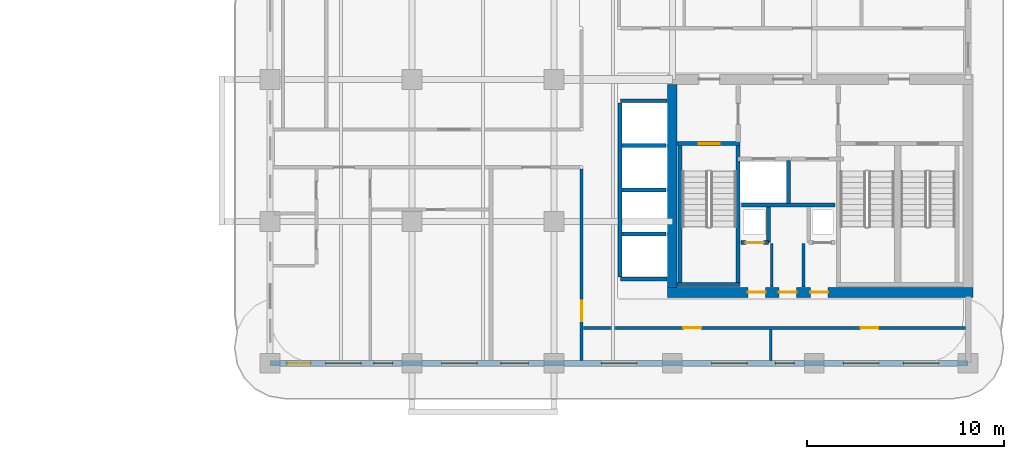
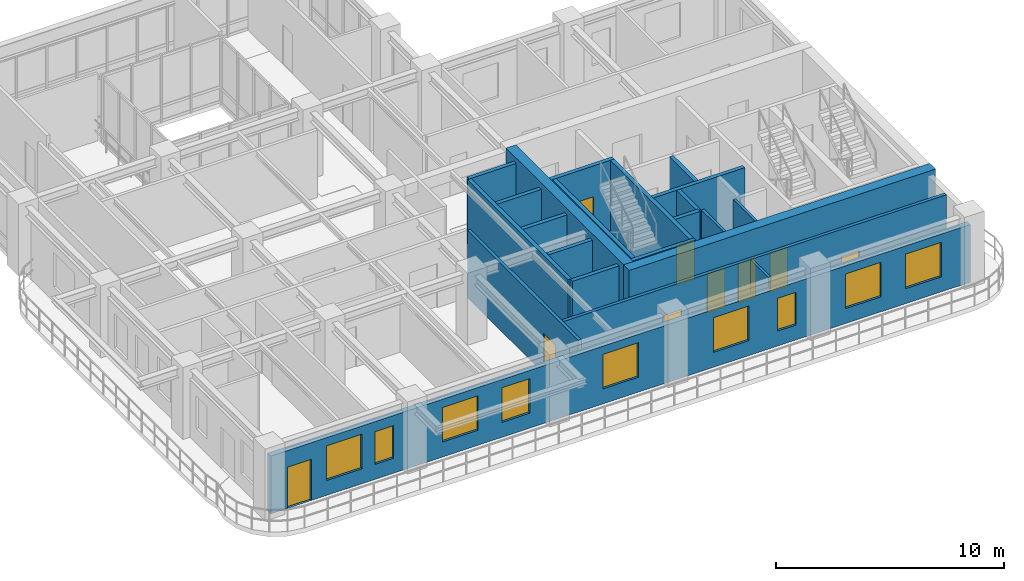
# One storey, part 12 of 19: 22 walls, 9 doors, 9 windows, 18 openings.
"""IFC4 building model written with IfcOpenShell, lengths in metres."""

from ifc_helpers import new_model, si_unit, derived_unit, direction, frame, frame_2d, origin, place, context, subcontext, project, spatial, rectangle, extrude, source, transform, mapped, material, layer, layer_set, type_object, type_shapes, element, fill, save


model = new_model("IFC4")

# Units and contexts
model_context = context("Model", 3, precision=1e-05, world=origin(), true_north=direction((0.0, 1.0)))
body_context = subcontext(model_context, "Body", "Model", "MODEL_VIEW")
ifc_project = project(units=[si_unit("LENGTHUNIT", "METRE"), si_unit("AREAUNIT", "SQUARE_METRE"), si_unit("VOLUMEUNIT", "CUBIC_METRE"), si_unit("PLANEANGLEUNIT", "RADIAN"), si_unit("MASSUNIT", "GRAM", prefix="KILO"), si_unit("THERMODYNAMICTEMPERATUREUNIT", "KELVIN"), si_unit("POWERUNIT", "WATT"), derived_unit("THERMALTRANSMITTANCEUNIT", [(si_unit("POWERUNIT", "WATT"), 1), (si_unit("AREAUNIT", "SQUARE_METRE"), -1), (si_unit("THERMODYNAMICTEMPERATUREUNIT", "KELVIN"), -1)])], contexts=[model_context])

# Site, building, storey
site_placement = place(None, origin())
site = spatial("IfcSite", under=ifc_project, at=site_placement, CompositionType="ELEMENT")
building_placement = place(site_placement, origin())
building = spatial("IfcBuilding", under=site, at=building_placement, Name="Zahravan Archway Hotel and Residences", CompositionType="ELEMENT")
storey_placement = place(building_placement, frame((0.0, 0.0, 158.0)))
storey = spatial("IfcBuildingStorey", under=building, at=storey_placement, Name="L39", CompositionType="ELEMENT", Elevation=158.0)

# Wall, openings, doors
ifc_material_1 = material(Name="Concrete C60/75", Category="concrete")
ifc_layer_1 = layer(ifc_material_1, 0.5, Name="Concrete C60/75", Category="concrete")
ifc_layer_set_1 = layer_set([ifc_layer_1], Name="Concrete C60/75")
wall_type_1 = type_object("IfcWallType", Name="CW-CORE-500", PredefinedType="SHEAR", material=ifc_layer_set_1)
wall_1_placement = place(storey_placement, frame((34.550048828125, 3.60009765625, 0.0), z_axis=(0.0, 0.0, 1.0), x_axis=(1.0, 0.0, 0.0)))
wall_1 = element("IfcWall", 1, at=wall_1_placement, inside=storey, type_object=wall_type_1, Name="L39 Core A Shear S Wall 500 mm", PredefinedType="SHEAR", context=body_context, shape_type="SweptSolid", body=[
    extrude(rectangle(XDim=15.5, YDim=0.5, at=frame_2d((7.75, 0.0))), origin(), (0.0, 0.0, 1.0), 3.85009765625),
])
opening_1_placement = place(wall_1_placement, frame((4.080078125, 0.0, 0.0)))
opening_1 = element("IfcOpeningElement", 2, at=opening_1_placement, cuts=wall_1, Name="Opening FD-R1", PredefinedType="OPENING", context=body_context, shape_type="SweptSolid", body=[
    extrude(rectangle(XDim=0.89990234375, YDim=2.10009765625, at=frame_2d((0.449951171875, 1.050048828125))), frame((0.0, 0.260009765625, 0.0), z_axis=(0.0, -1.0, 0.0), x_axis=(1.0, 0.0, 0.0)), (0.0, 0.0, 1.0), 0.52001953125),
])
opening_2_placement = place(wall_1_placement, frame((5.64990234375, 0.0, 0.0)))
opening_2 = element("IfcOpeningElement", 3, at=opening_2_placement, cuts=wall_1, Name="Opening FD-R1", PredefinedType="OPENING", context=body_context, shape_type="SweptSolid", body=[
    extrude(rectangle(XDim=0.89990234375, YDim=2.10009765625, at=frame_2d((0.449951171875, 1.050048828125))), frame((0.0, 0.260009765625, 0.0), z_axis=(0.0, -1.0, 0.0), x_axis=(1.0, 0.0, 0.0)), (0.0, 0.0, 1.0), 0.52001953125),
])
opening_3_placement = place(wall_1_placement, frame((7.25, 0.0, 0.0)))
opening_3 = element("IfcOpeningElement", 4, at=opening_3_placement, cuts=wall_1, Name="Opening FD-R1", PredefinedType="OPENING", context=body_context, shape_type="SweptSolid", body=[
    extrude(rectangle(XDim=0.89990234375, YDim=2.10009765625, at=frame_2d((0.449951171875, 1.050048828125))), frame((0.0, 0.260009765625, 0.0), z_axis=(0.0, -1.0, 0.0), x_axis=(1.0, 0.0, 0.0)), (0.0, 0.0, 1.0), 0.52001953125),
])
ifc_material_2 = material(Name="Fire-Rated Painted Steel", Category="steel")
door_type_1 = type_object("IfcDoorType", Name="FD-RISER-900", OperationType="NOTDEFINED", PredefinedType="DOOR", material=ifc_material_2)
shared_shape_1 = source(origin(), body_context, "Body", "SweptSolid", [
    extrude(rectangle(XDim=0.89990234375, YDim=2.10009765625, at=frame_2d((0.449951171875, 1.050048828125))), frame((0.0, 0.02490234375, 0.0), z_axis=(0.0, -1.0, 0.0), x_axis=(1.0, 0.0, 0.0)), (0.0, 0.0, 1.0), 0.050048828125),
])
type_shapes(door_type_1, [shared_shape_1])
door_1_placement = place(opening_1_placement, origin())
door_1 = element("IfcDoor", 5, at=door_1_placement, inside=storey, type_object=door_type_1, Name="L39 Linen Store Door", OperationType="SINGLE_SWING_RIGHT", OverallHeight=2.10009765625, OverallWidth=0.89990234375, PredefinedType="DOOR", context=body_context, shape_type="MappedRepresentation", body=[
    mapped(shared_shape_1, transform((0.0, 0.0, 0.0), scale=1.0)),
])
fill(opening_1, door_1)
door_2_placement = place(opening_2_placement, origin())
door_2 = element("IfcDoor", 6, at=door_2_placement, inside=storey, type_object=door_type_1, Name="L39 Housekeeping Store Door", OperationType="SINGLE_SWING_LEFT", OverallHeight=2.10009765625, OverallWidth=0.89990234375, PredefinedType="DOOR", context=body_context, shape_type="MappedRepresentation", body=[
    mapped(shared_shape_1, transform((0.0, 0.0, 0.0), scale=1.0)),
])
fill(opening_2, door_2)
door_3_placement = place(opening_3_placement, origin())
door_3 = element("IfcDoor", 7, at=door_3_placement, inside=storey, type_object=door_type_1, Name="L39 Janitor Store Door", OperationType="SINGLE_SWING_RIGHT", OverallHeight=2.10009765625, OverallWidth=0.89990234375, PredefinedType="DOOR", context=body_context, shape_type="MappedRepresentation", body=[
    mapped(shared_shape_1, transform((0.0, 0.0, 0.0), scale=1.0)),
])
fill(opening_3, door_3)

# Wall
wall_2_placement = place(storey_placement, frame((34.800048828125, 3.85009765625, 0.0), z_axis=(0.0, 0.0, 1.0), x_axis=(0.0, 1.0, 0.0)))
element("IfcWall", 8, at=wall_2_placement, inside=storey, type_object=wall_type_1, Name="L39 Core A Shear W Wall 500 mm", PredefinedType="SHEAR", context=body_context, shape_type="SweptSolid", body=[
    extrude(rectangle(XDim=10.2998046875, YDim=0.5, at=frame_2d((5.14990234375, 0.0))), origin(), (0.0, 0.0, 1.0), 3.85009765625),
])

# Wall, openings, door, windows
ifc_material_3 = material(Name="Honed Red-Ochre Sandstone & Insulated Block", Category="masonry")
ifc_layer_2 = layer(ifc_material_3, 0.280029296875, Name="Honed Red-Ochre Sandstone & Insulated Block", Category="masonry")
ifc_layer_set_2 = layer_set([ifc_layer_2], Name="Honed Red-Ochre Sandstone & Insulated Block")
wall_type_2 = type_object("IfcWallType", Name="EW-LOG-280", PredefinedType="SOLIDWALL", material=ifc_layer_set_2)
wall_3_placement = place(storey_placement, frame((14.39990234375, 0.0, 0.0), z_axis=(0.0, 0.0, 1.0), x_axis=(1.0, 0.0, 0.0)))
wall_3 = element("IfcWall", 9, at=wall_3_placement, inside=storey, type_object=wall_type_2, Name="L39 Exterior Sandstone Wall WA-S", PredefinedType="SOLIDWALL", context=body_context, shape_type="SweptSolid", body=[
    extrude(rectangle(XDim=35.400146484375, YDim=0.280029296875, at=frame_2d((17.7001953125, 0.0))), origin(), (0.0, 0.0, 1.0), 3.0849609375),
])
opening_4_placement = place(wall_3_placement, frame((0.85009765625, 0.0, 0.0)))
opening_4 = element("IfcOpeningElement", 10, at=opening_4_placement, cuts=wall_3, Name="Opening ED-BL1", PredefinedType="OPENING", context=body_context, shape_type="SweptSolid", body=[
    extrude(rectangle(XDim=1.199951171875, YDim=2.199951171875, at=frame_2d((0.60009765625, 1.10009765625))), frame((0.0, 0.14990234375, 0.0), z_axis=(0.0, -1.0, 0.0), x_axis=(1.0, 0.0, 0.0)), (0.0, 0.0, 1.0), 0.300048828125),
])
opening_5_placement = place(wall_3_placement, frame((2.81103515625, 0.0, 0.800048828125)))
opening_5 = element("IfcOpeningElement", 11, at=opening_5_placement, cuts=wall_3, Name="Opening W-02", PredefinedType="OPENING", context=body_context, shape_type="SweptSolid", body=[
    extrude(rectangle(XDim=1.800048828125, YDim=1.85009765625, at=frame_2d((0.89990234375, 0.925048828125))), frame((0.0, 0.14990234375, 0.0), z_axis=(0.0, -1.0, 0.0), x_axis=(1.0, 0.0, 0.0)), (0.0, 0.0, 1.0), 0.300048828125),
])
opening_6_placement = place(wall_3_placement, frame((5.26904296875, 0.0, 0.800048828125)))
opening_6 = element("IfcOpeningElement", 12, at=opening_6_placement, cuts=wall_3, Name="Opening W-04", PredefinedType="OPENING", context=body_context, shape_type="SweptSolid", body=[
    extrude(rectangle(XDim=0.949951171875, YDim=1.75, at=frame_2d((0.47509765625, 0.875))), frame((0.0, 0.14990234375, 0.0), z_axis=(0.0, -1.0, 0.0), x_axis=(1.0, 0.0, 0.0)), (0.0, 0.0, 1.0), 0.300048828125),
])
opening_7_placement = place(wall_3_placement, frame((8.696044921875, 0.0, 0.800048828125)))
opening_7 = element("IfcOpeningElement", 13, at=opening_7_placement, cuts=wall_3, Name="Opening W-02", PredefinedType="OPENING", context=body_context, shape_type="SweptSolid", body=[
    extrude(rectangle(XDim=1.800048828125, YDim=1.85009765625, at=frame_2d((0.89990234375, 0.925048828125))), frame((0.0, 0.14990234375, 0.0), z_axis=(0.0, -1.0, 0.0), x_axis=(1.0, 0.0, 0.0)), (0.0, 0.0, 1.0), 0.300048828125),
])
opening_8_placement = place(wall_3_placement, frame((11.7041015625, 0.0, 0.800048828125)))
opening_8 = element("IfcOpeningElement", 14, at=opening_8_placement, cuts=wall_3, Name="Opening W-03", PredefinedType="OPENING", context=body_context, shape_type="SweptSolid", body=[
    extrude(rectangle(XDim=1.39990234375, YDim=1.85009765625, at=frame_2d((0.699951171875, 0.925048828125))), frame((0.0, 0.14990234375, 0.0), z_axis=(0.0, -1.0, 0.0), x_axis=(1.0, 0.0, 0.0)), (0.0, 0.0, 1.0), 0.300048828125),
])
opening_9_placement = place(wall_3_placement, frame((16.803955078125, 0.0, 0.800048828125)))
opening_9 = element("IfcOpeningElement", 15, at=opening_9_placement, cuts=wall_3, Name="Opening W-02", PredefinedType="OPENING", context=body_context, shape_type="SweptSolid", body=[
    extrude(rectangle(XDim=1.800048828125, YDim=1.85009765625, at=frame_2d((0.89990234375, 0.925048828125))), frame((0.0, 0.14990234375, 0.0), z_axis=(0.0, -1.0, 0.0), x_axis=(1.0, 0.0, 0.0)), (0.0, 0.0, 1.0), 0.300048828125),
])
opening_10_placement = place(wall_3_placement, frame((22.39599609375, 0.0, 0.800048828125)))
opening_10 = element("IfcOpeningElement", 16, at=opening_10_placement, cuts=wall_3, Name="Opening W-02", PredefinedType="OPENING", context=body_context, shape_type="SweptSolid", body=[
    extrude(rectangle(XDim=1.800048828125, YDim=1.85009765625, at=frame_2d((0.89990234375, 0.925048828125))), frame((0.0, 0.14990234375, 0.0), z_axis=(0.0, -1.0, 0.0), x_axis=(1.0, 0.0, 0.0)), (0.0, 0.0, 1.0), 0.300048828125),
])
opening_11_placement = place(wall_3_placement, frame((25.62890625, 0.0, 0.800048828125)))
opening_11 = element("IfcOpeningElement", 17, at=opening_11_placement, cuts=wall_3, Name="Opening W-04", PredefinedType="OPENING", context=body_context, shape_type="SweptSolid", body=[
    extrude(rectangle(XDim=0.949951171875, YDim=1.75, at=frame_2d((0.47509765625, 0.875))), frame((0.0, 0.14990234375, 0.0), z_axis=(0.0, -1.0, 0.0), x_axis=(1.0, 0.0, 0.0)), (0.0, 0.0, 1.0), 0.300048828125),
])
opening_12_placement = place(wall_3_placement, frame((29.074951171875, 0.0, 0.800048828125)))
opening_12 = element("IfcOpeningElement", 18, at=opening_12_placement, cuts=wall_3, Name="Opening W-02", PredefinedType="OPENING", context=body_context, shape_type="SweptSolid", body=[
    extrude(rectangle(XDim=1.800048828125, YDim=1.85009765625, at=frame_2d((0.89990234375, 0.925048828125))), frame((0.0, 0.14990234375, 0.0), z_axis=(0.0, -1.0, 0.0), x_axis=(1.0, 0.0, 0.0)), (0.0, 0.0, 1.0), 0.300048828125),
])
opening_13_placement = place(wall_3_placement, frame((32.125, 0.0, 0.800048828125)))
opening_13 = element("IfcOpeningElement", 19, at=opening_13_placement, cuts=wall_3, Name="Opening W-02", PredefinedType="OPENING", context=body_context, shape_type="SweptSolid", body=[
    extrude(rectangle(XDim=1.800048828125, YDim=1.85009765625, at=frame_2d((0.89990234375, 0.925048828125))), frame((0.0, 0.14990234375, 0.0), z_axis=(0.0, -1.0, 0.0), x_axis=(1.0, 0.0, 0.0)), (0.0, 0.0, 1.0), 0.300048828125),
])
ifc_material_4 = material(Name="Bronze-Anodized Glazed Aluminium", Category="aluminium")
door_type_2 = type_object("IfcDoorType", Name="ED-BALC-1200", OperationType="SLIDING_TO_LEFT", PredefinedType="DOOR", material=ifc_material_4)
shared_shape_2 = source(origin(), body_context, "Body", "SweptSolid", [
    extrude(rectangle(XDim=1.199951171875, YDim=2.199951171875, at=frame_2d((0.60009765625, 1.10009765625))), frame((0.0, 0.02490234375, 0.0), z_axis=(0.0, -1.0, 0.0), x_axis=(1.0, 0.0, 0.0)), (0.0, 0.0, 1.0), 0.050048828125),
])
type_shapes(door_type_2, [shared_shape_2])
door_4_placement = place(opening_4_placement, origin())
door_4 = element("IfcDoor", 20, at=door_4_placement, inside=storey, type_object=door_type_2, Name="L39 Outdoor Access Sliding Door (SLB-BAL-L39-SA)", OperationType="SLIDING_TO_LEFT", OverallHeight=2.199951171875, OverallWidth=1.199951171875, PredefinedType="DOOR", context=body_context, shape_type="MappedRepresentation", body=[
    mapped(shared_shape_2, transform((0.0, 0.0, 0.0), scale=1.0)),
])
fill(opening_4, door_4)
ifc_material_5 = material(Name="Bronze-Anodized Thermal-Break Aluminium & Low-E Glass", Category="aluminium")
window_type_1 = type_object("IfcWindowType", Name="WIN-TWR-1400", PartitioningType="SINGLE_PANEL", PredefinedType="WINDOW", material=ifc_material_5)
shared_shape_3 = source(origin(), body_context, "Body", "SweptSolid", [
    extrude(rectangle(XDim=1.39990234375, YDim=1.85009765625, at=frame_2d((0.699951171875, 0.925048828125))), frame((0.0, 0.030029296875, 0.0), z_axis=(0.0, -1.0, 0.0), x_axis=(1.0, 0.0, 0.0)), (0.0, 0.0, 1.0), 0.06005859375),
])
type_shapes(window_type_1, [shared_shape_3])
window_1_placement = place(opening_8_placement, origin())
window_1 = element("IfcWindow", 21, at=window_1_placement, inside=storey, type_object=window_type_1, Name="L39 Loggia Window 04", OverallHeight=1.85009765625, OverallWidth=1.39990234375, PartitioningType="SINGLE_PANEL", PredefinedType="WINDOW", context=body_context, shape_type="MappedRepresentation", body=[
    mapped(shared_shape_3, transform((0.0, 0.0, 0.0), scale=1.0)),
])
fill(opening_8, window_1)
window_type_2 = type_object("IfcWindowType", Name="WIN-NAR-950", PartitioningType="SINGLE_PANEL", PredefinedType="WINDOW", material=ifc_material_5)
shared_shape_4 = source(origin(), body_context, "Body", "SweptSolid", [
    extrude(rectangle(XDim=0.949951171875, YDim=1.75, at=frame_2d((0.47509765625, 0.875))), frame((0.0, 0.030029296875, 0.0), z_axis=(0.0, -1.0, 0.0), x_axis=(1.0, 0.0, 0.0)), (0.0, 0.0, 1.0), 0.06005859375),
])
type_shapes(window_type_2, [shared_shape_4])
window_2_placement = place(opening_6_placement, origin())
window_2 = element("IfcWindow", 22, at=window_2_placement, inside=storey, type_object=window_type_2, Name="L39 Loggia Window 02", OverallHeight=1.75, OverallWidth=0.949951171875, PartitioningType="SINGLE_PANEL", PredefinedType="WINDOW", context=body_context, shape_type="MappedRepresentation", body=[
    mapped(shared_shape_4, transform((0.0, 0.0, 0.0), scale=1.0)),
])
fill(opening_6, window_2)
window_3_placement = place(opening_11_placement, origin())
window_3 = element("IfcWindow", 23, at=window_3_placement, inside=storey, type_object=window_type_2, Name="L39 Loggia Window 07", OverallHeight=1.75, OverallWidth=0.949951171875, PartitioningType="SINGLE_PANEL", PredefinedType="WINDOW", context=body_context, shape_type="MappedRepresentation", body=[
    mapped(shared_shape_4, transform((0.0, 0.0, 0.0), scale=1.0)),
])
fill(opening_11, window_3)
window_type_3 = type_object("IfcWindowType", Name="WIN-TWR-1800", PartitioningType="DOUBLE_PANEL_VERTICAL", PredefinedType="WINDOW", material=ifc_material_5)
shared_shape_5 = source(origin(), body_context, "Body", "SweptSolid", [
    extrude(rectangle(XDim=1.800048828125, YDim=1.85009765625, at=frame_2d((0.89990234375, 0.925048828125))), frame((0.0, 0.030029296875, 0.0), z_axis=(0.0, -1.0, 0.0), x_axis=(1.0, 0.0, 0.0)), (0.0, 0.0, 1.0), 0.06005859375),
])
type_shapes(window_type_3, [shared_shape_5])
window_4_placement = place(opening_5_placement, origin())
window_4 = element("IfcWindow", 24, at=window_4_placement, inside=storey, type_object=window_type_3, Name="L39 Loggia Window 01", OverallHeight=1.85009765625, OverallWidth=1.800048828125, PartitioningType="DOUBLE_PANEL_VERTICAL", PredefinedType="WINDOW", context=body_context, shape_type="MappedRepresentation", body=[
    mapped(shared_shape_5, transform((0.0, 0.0, 0.0), scale=1.0)),
])
fill(opening_5, window_4)
window_5_placement = place(opening_7_placement, origin())
window_5 = element("IfcWindow", 25, at=window_5_placement, inside=storey, type_object=window_type_3, Name="L39 Loggia Window 03", OverallHeight=1.85009765625, OverallWidth=1.800048828125, PartitioningType="DOUBLE_PANEL_VERTICAL", PredefinedType="WINDOW", context=body_context, shape_type="MappedRepresentation", body=[
    mapped(shared_shape_5, transform((0.0, 0.0, 0.0), scale=1.0)),
])
fill(opening_7, window_5)
window_6_placement = place(opening_9_placement, origin())
window_6 = element("IfcWindow", 26, at=window_6_placement, inside=storey, type_object=window_type_3, Name="L39 Loggia Window 05", OverallHeight=1.85009765625, OverallWidth=1.800048828125, PartitioningType="DOUBLE_PANEL_VERTICAL", PredefinedType="WINDOW", context=body_context, shape_type="MappedRepresentation", body=[
    mapped(shared_shape_5, transform((0.0, 0.0, 0.0), scale=1.0)),
])
fill(opening_9, window_6)
window_7_placement = place(opening_10_placement, origin())
window_7 = element("IfcWindow", 27, at=window_7_placement, inside=storey, type_object=window_type_3, Name="L39 Loggia Window 06", OverallHeight=1.85009765625, OverallWidth=1.800048828125, PartitioningType="DOUBLE_PANEL_VERTICAL", PredefinedType="WINDOW", context=body_context, shape_type="MappedRepresentation", body=[
    mapped(shared_shape_5, transform((0.0, 0.0, 0.0), scale=1.0)),
])
fill(opening_10, window_7)
window_8_placement = place(opening_12_placement, origin())
window_8 = element("IfcWindow", 28, at=window_8_placement, inside=storey, type_object=window_type_3, Name="L39 Loggia Window 08", OverallHeight=1.85009765625, OverallWidth=1.800048828125, PartitioningType="DOUBLE_PANEL_VERTICAL", PredefinedType="WINDOW", context=body_context, shape_type="MappedRepresentation", body=[
    mapped(shared_shape_5, transform((0.0, 0.0, 0.0), scale=1.0)),
])
fill(opening_12, window_8)
window_9_placement = place(opening_13_placement, origin())
window_9 = element("IfcWindow", 29, at=window_9_placement, inside=storey, type_object=window_type_3, Name="L39 Loggia Window 09", OverallHeight=1.85009765625, OverallWidth=1.800048828125, PartitioningType="DOUBLE_PANEL_VERTICAL", PredefinedType="WINDOW", context=body_context, shape_type="MappedRepresentation", body=[
    mapped(shared_shape_5, transform((0.0, 0.0, 0.0), scale=1.0)),
])
fill(opening_13, window_9)

# Wall, opening, door
ifc_material_6 = material(Name="Fire-Rated Gypsum & Concrete Block", Category="concrete")
ifc_layer_3 = layer(ifc_material_6, 0.159912109375, Name="Fire-Rated Gypsum & Concrete Block", Category="concrete")
ifc_layer_set_3 = layer_set([ifc_layer_3], Name="Fire-Rated Gypsum & Concrete Block")
wall_type_3 = type_object("IfcWallType", Name="PW-CORR-160", PredefinedType="PARTITIONING", material=ifc_layer_set_3)
wall_4_placement = place(storey_placement, frame((30.199951171875, 0.14794921875, 0.0), z_axis=(0.0, 0.0, 1.0), x_axis=(0.0, 1.0, 0.0)))
wall_4 = element("IfcWall", 30, at=wall_4_placement, inside=storey, type_object=wall_type_3, Name="L39 Partition WA-SRW", PredefinedType="PARTITIONING", context=body_context, shape_type="SweptSolid", body=[
    extrude(rectangle(XDim=9.712158203125, YDim=0.159912109375, at=frame_2d((4.85595703125, 0.0))), origin(), (0.0, 0.0, 1.0), 3.60009765625),
])
opening_14_placement = place(wall_4_placement, frame((1.97705078125, 0.0, 0.0)))
opening_14 = element("IfcOpeningElement", 31, at=opening_14_placement, cuts=wall_4, Name="Opening FD-L2", PredefinedType="OPENING", context=body_context, shape_type="SweptSolid", body=[
    extrude(rectangle(XDim=1.050048828125, YDim=2.14990234375, at=frame_2d((0.52490234375, 1.074951171875))), frame((0.0, 0.08984375, 0.0), z_axis=(0.0, -1.0, 0.0), x_axis=(1.0, 0.0, 0.0)), (0.0, 0.0, 1.0), 0.179931640625),
])
door_type_3 = type_object("IfcDoorType", Name="FD-LOBBY-1100", OperationType="NOTDEFINED", PredefinedType="DOOR", material=ifc_material_2)
shared_shape_6 = source(origin(), body_context, "Body", "SweptSolid", [
    extrude(rectangle(XDim=1.050048828125, YDim=2.14990234375, at=frame_2d((0.52490234375, 1.074951171875))), frame((0.0, 0.02490234375, 0.0), z_axis=(0.0, -1.0, 0.0), x_axis=(1.0, 0.0, 0.0)), (0.0, 0.0, 1.0), 0.050048828125),
])
type_shapes(door_type_3, [shared_shape_6])
door_5_placement = place(opening_14_placement, origin())
door_5 = element("IfcDoor", 32, at=door_5_placement, inside=storey, type_object=door_type_3, Name="L39 South Riser Corridor Door", OperationType="SINGLE_SWING_RIGHT", OverallHeight=2.14990234375, OverallWidth=1.050048828125, PredefinedType="DOOR", context=body_context, shape_type="MappedRepresentation", body=[
    mapped(shared_shape_6, transform((0.0, 0.0, 0.0), scale=1.0)),
])
fill(opening_14, door_5)

# Wall, openings, doors
wall_5_placement = place(storey_placement, frame((30.2900390625, 1.800048828125, 0.0), z_axis=(0.0, 0.0, 1.0), x_axis=(1.0, 0.0, 0.0)))
wall_5 = element("IfcWall", 33, at=wall_5_placement, inside=storey, type_object=wall_type_3, Name="L39 Partition WA-SRS", PredefinedType="PARTITIONING", context=body_context, shape_type="SweptSolid", body=[
    extrude(rectangle(XDim=19.369873046875, YDim=0.159912109375, at=frame_2d((9.68505859375, 0.0))), origin(), (0.0, 0.0, 1.0), 3.60009765625),
])
opening_15_placement = place(wall_5_placement, frame((5.07421875, 0.0, 0.0)))
opening_15 = element("IfcOpeningElement", 34, at=opening_15_placement, cuts=wall_5, Name="Opening D-I2", PredefinedType="OPENING", context=body_context, shape_type="SweptSolid", body=[
    extrude(rectangle(XDim=0.89990234375, YDim=2.14990234375, at=frame_2d((0.449951171875, 1.074951171875))), frame((0.0, 0.08984375, 0.0), z_axis=(0.0, -1.0, 0.0), x_axis=(1.0, 0.0, 0.0)), (0.0, 0.0, 1.0), 0.179931640625),
])
opening_16_placement = place(wall_5_placement, frame((14.06005859375, 0.0, 0.0)))
opening_16 = element("IfcOpeningElement", 35, at=opening_16_placement, cuts=wall_5, Name="Opening D-I2", PredefinedType="OPENING", context=body_context, shape_type="SweptSolid", body=[
    extrude(rectangle(XDim=0.89990234375, YDim=2.14990234375, at=frame_2d((0.449951171875, 1.074951171875))), frame((0.0, 0.08984375, 0.0), z_axis=(0.0, -1.0, 0.0), x_axis=(1.0, 0.0, 0.0)), (0.0, 0.0, 1.0), 0.179931640625),
])
ifc_material_7 = material(Name="Hardwood Veneer Timber", Category="wood")
door_type_4 = type_object("IfcDoorType", Name="ID-INT-900", OperationType="NOTDEFINED", PredefinedType="DOOR", material=ifc_material_7)
shared_shape_7 = source(origin(), body_context, "Body", "SweptSolid", [
    extrude(rectangle(XDim=0.89990234375, YDim=2.14990234375, at=frame_2d((0.449951171875, 1.074951171875))), frame((0.0, 0.02490234375, 0.0), z_axis=(0.0, -1.0, 0.0), x_axis=(1.0, 0.0, 0.0)), (0.0, 0.0, 1.0), 0.050048828125),
])
type_shapes(door_type_4, [shared_shape_7])
door_6_placement = place(opening_15_placement, origin())
door_6 = element("IfcDoor", 36, at=door_6_placement, inside=storey, type_object=door_type_4, Name="L39 South Study Door", OperationType="SINGLE_SWING_LEFT", OverallHeight=2.14990234375, OverallWidth=0.89990234375, PredefinedType="DOOR", context=body_context, shape_type="MappedRepresentation", body=[
    mapped(shared_shape_7, transform((0.0, 0.0, 0.0), scale=1.0)),
])
fill(opening_15, door_6)
door_7_placement = place(opening_16_placement, origin())
door_7 = element("IfcDoor", 37, at=door_7_placement, inside=storey, type_object=door_type_4, Name="L39 South Pantry Door", OperationType="SINGLE_SWING_RIGHT", OverallHeight=2.14990234375, OverallWidth=0.89990234375, PredefinedType="DOOR", context=body_context, shape_type="MappedRepresentation", body=[
    mapped(shared_shape_7, transform((0.0, 0.0, 0.0), scale=1.0)),
])
fill(opening_16, door_7)

# Walls
ifc_material_8 = material(Name="Acoustic Stud Partition")
ifc_layer_4 = layer(ifc_material_8, 0.125, Name="Acoustic Stud Partition")
ifc_layer_set_4 = layer_set([ifc_layer_4], Name="Acoustic Stud Partition")
wall_type_4 = type_object("IfcWallType", Name="PW-INT-125", PredefinedType="PARTITIONING", material=ifc_layer_set_4)
wall_6_placement = place(storey_placement, frame((39.800048828125, 0.14794921875, 0.0), z_axis=(0.0, 0.0, 1.0), x_axis=(0.0, 1.0, 0.0)))
element("IfcWall", 38, at=wall_6_placement, inside=storey, type_object=wall_type_4, Name="L39 Partition S-DIV1", PredefinedType="PARTITIONING", context=body_context, shape_type="SweptSolid", body=[
    extrude(rectangle(XDim=1.56201171875, YDim=0.125, at=frame_2d((0.781005859375, 0.0))), origin(), (0.0, 0.0, 1.0), 3.60009765625),
])
ifc_layer_5 = layer(ifc_material_6, 0.199951171875, Name="Fire-Rated Gypsum & Concrete Block", Category="concrete")
ifc_layer_set_5 = layer_set([ifc_layer_5], Name="Fire-Rated Gypsum & Concrete Block")
wall_type_5 = type_object("IfcWallType", Name="PW-SHAFT-200", PredefinedType="PARTITIONING", material=ifc_layer_set_5)
wall_7_placement = place(storey_placement, frame((38.300048828125, 8.030029296875, 0.0), z_axis=(0.0, 0.0, 1.0), x_axis=(1.0, 0.0, 0.0)))
element("IfcWall", 39, at=wall_7_placement, inside=storey, type_object=wall_type_5, Name="L39 Partition CA-FLS", PredefinedType="PARTITIONING", context=body_context, shape_type="SweptSolid", body=[
    extrude(rectangle(XDim=4.739990234375, YDim=0.199951171875, at=frame_2d((2.3701171875, 0.0))), origin(), (0.0, 0.0, 1.0), 3.60009765625),
])
wall_8_placement = place(storey_placement, frame((40.699951171875, 8.1201171875, 0.0), z_axis=(0.0, 0.0, 1.0), x_axis=(0.0, 1.0, 0.0)))
element("IfcWall", 40, at=wall_8_placement, inside=storey, type_object=wall_type_5, Name="L39 Partition CA-FLM", PredefinedType="PARTITIONING", context=body_context, shape_type="SweptSolid", body=[
    extrude(rectangle(XDim=2.179931640625, YDim=0.199951171875, at=frame_2d((1.08984375, 0.0))), origin(), (0.0, 0.0, 1.0), 3.60009765625),
])

# Wall, opening, door
wall_9_placement = place(storey_placement, frame((38.2900390625, 6.1201171875, 0.0), z_axis=(0.0, 0.0, 1.0), x_axis=(1.0, 0.0, 0.0)))
wall_9 = element("IfcWall", 41, at=wall_9_placement, inside=storey, type_object=wall_type_5, Name="L39 Partition CA-SMKS", PredefinedType="PARTITIONING", context=body_context, shape_type="SweptSolid", body=[
    extrude(rectangle(XDim=1.3798828125, YDim=0.199951171875, at=frame_2d((0.68994140625, 0.0))), origin(), (0.0, 0.0, 1.0), 3.60009765625),
])
opening_17_placement = place(wall_9_placement, frame((0.239990234375, 0.0, 0.0)))
opening_17 = element("IfcOpeningElement", 42, at=opening_17_placement, cuts=wall_9, Name="Opening FD-R1", PredefinedType="OPENING", context=body_context, shape_type="SweptSolid", body=[
    extrude(rectangle(XDim=0.89990234375, YDim=2.10009765625, at=frame_2d((0.449951171875, 1.050048828125))), frame((0.0, 0.10986328125, 0.0), z_axis=(0.0, -1.0, 0.0), x_axis=(1.0, 0.0, 0.0)), (0.0, 0.0, 1.0), 0.219970703125),
])
door_8_placement = place(opening_17_placement, origin())
door_8 = element("IfcDoor", 43, at=door_8_placement, inside=storey, type_object=door_type_1, Name="L39 Smoke Riser Access Door", OperationType="SINGLE_SWING_RIGHT", OverallHeight=2.10009765625, OverallWidth=0.89990234375, PredefinedType="DOOR", context=body_context, shape_type="MappedRepresentation", body=[
    mapped(shared_shape_1, transform((0.0, 0.0, 0.0), scale=1.0)),
])
fill(opening_17, door_8)

# Walls
wall_10_placement = place(storey_placement, frame((39.679931640625, 6.1298828125, 0.0), z_axis=(0.0, 0.0, 1.0), x_axis=(0.0, 1.0, 0.0)))
element("IfcWall", 44, at=wall_10_placement, inside=storey, type_object=wall_type_5, Name="L39 Partition CA-SMKE", PredefinedType="PARTITIONING", context=body_context, shape_type="SweptSolid", body=[
    extrude(rectangle(XDim=1.7900390625, YDim=0.199951171875, at=frame_2d((0.89501953125, 0.0))), origin(), (0.0, 0.0, 1.0), 3.60009765625),
])
for number, where, z_axis, x_axis, name in (
    (45, (32.159912109375, 4.280029296875, 0.0), (0.0, 0.0, 1.0), (1.0, 0.0, 0.0), "L39 Partition B3-S"),
    (46, (32.159912109375, 13.320068359375, 0.0), (0.0, 0.0, 1.0), (1.0, 0.0, 0.0), "L39 Partition B3-N"),
):
    element("IfcWall", number, at=place(storey_placement, frame(where, z_axis=z_axis, x_axis=x_axis)), inside=storey, type_object=wall_type_5, Name=name, PredefinedType="PARTITIONING", context=body_context, shape_type="SweptSolid", body=[
        extrude(rectangle(XDim=2.360107421875, YDim=0.199951171875, at=frame_2d((1.18017578125, 0.0))), origin(), (0.0, 0.0, 1.0), 3.60009765625),
    ])
wall_11_placement = place(storey_placement, frame((32.14990234375, 4.389892578125, 0.0), z_axis=(0.0, 0.0, 1.0), x_axis=(0.0, 1.0, 0.0)))
element("IfcWall", 47, at=wall_11_placement, inside=storey, type_object=wall_type_5, Name="L39 Partition B3-W", PredefinedType="PARTITIONING", context=body_context, shape_type="SweptSolid", body=[
    extrude(rectangle(XDim=8.820068359375, YDim=0.199951171875, at=frame_2d((4.41015625, 0.0))), origin(), (0.0, 0.0, 1.0), 3.60009765625),
])
for number, where, z_axis, x_axis, name in (
    (48, (32.260009765625, 6.56005859375, 0.0), (0.0, 0.0, 1.0), (1.0, 0.0, 0.0), "L39 Partition B3-D"),
    (49, (32.260009765625, 8.800048828125, 0.0), (0.0, 0.0, 1.0), (1.0, 0.0, 0.0), "L39 Partition B3-D"),
    (50, (32.260009765625, 11.0400390625, 0.0), (0.0, 0.0, 1.0), (1.0, 0.0, 0.0), "L39 Partition B3-D"),
):
    element("IfcWall", number, at=place(storey_placement, frame(where, z_axis=z_axis, x_axis=x_axis)), inside=storey, type_object=wall_type_5, Name=name, PredefinedType="PARTITIONING", context=body_context, shape_type="SweptSolid", body=[
        extrude(rectangle(XDim=2.22998046875, YDim=0.199951171875, at=frame_2d((1.114990234375, 0.0))), origin(), (0.0, 0.0, 1.0), 3.60009765625),
    ])
ifc_material_9 = material(Name="Moisture-Resistant Blockwork", Category="masonry")
ifc_layer_6 = layer(ifc_material_9, 0.139892578125, Name="Moisture-Resistant Blockwork", Category="masonry")
ifc_layer_set_6 = layer_set([ifc_layer_6], Name="Moisture-Resistant Blockwork")
wall_type_6 = type_object("IfcWallType", Name="PW-WET-140", PredefinedType="PARTITIONING", material=ifc_layer_set_6)
for number, where, z_axis, x_axis, name in (
    (51, (39.85009765625, 3.8701171875, 0.0), (0.0, 0.0, 1.0), (0.0, 1.0, 0.0), "L39 Partition CA-CV1A"),
    (52, (41.449951171875, 3.8701171875, 0.0), (0.0, 0.0, 1.0), (0.0, 1.0, 0.0), "L39 Partition CA-CV1B"),
):
    element("IfcWall", number, at=place(storey_placement, frame(where, z_axis=z_axis, x_axis=x_axis)), inside=storey, type_object=wall_type_6, Name=name, PredefinedType="PARTITIONING", context=body_context, shape_type="SweptSolid", body=[
        extrude(rectangle(XDim=2.2099609375, YDim=0.139892578125, at=frame_2d((1.10498046875, 0.0))), origin(), (0.0, 0.0, 1.0), 3.60009765625),
    ])
ifc_material_10 = material(Name="Concrete C50/60", Category="concrete")
ifc_layer_7 = layer(ifc_material_10, 0.199951171875, Name="Concrete C50/60", Category="concrete")
ifc_layer_set_7 = layer_set([ifc_layer_7], Name="Concrete C50/60")
wall_type_7 = type_object("IfcWallType", Name="SW-STAIR-200", PredefinedType="SHEAR", material=ifc_layer_set_7)
wall_12_placement = place(storey_placement, frame((35.050048828125, 4.0, 0.0), z_axis=(0.0, 0.0, 1.0), x_axis=(1.0, 0.0, 0.0)))
element("IfcWall", 53, at=wall_12_placement, inside=storey, type_object=wall_type_7, Name="L39 Stairwell RC Wall CA-SA1S", PredefinedType="SHEAR", context=body_context, shape_type="SweptSolid", body=[
    extrude(rectangle(XDim=3.18994140625, YDim=0.199951171875, at=frame_2d((1.594970703125, 0.0))), origin(), (0.0, 0.0, 1.0), 3.85009765625),
])
for number, where, z_axis, x_axis, name in (
    (54, (35.199951171875, 4.10009765625, 0.0), (0.0, 0.0, 1.0), (0.0, 1.0, 0.0), "L39 Stairwell RC Wall CA-SA1W"),
    (55, (38.139892578125, 4.10009765625, 0.0), (0.0, 0.0, 1.0), (0.0, 1.0, 0.0), "L39 Stairwell RC Wall CA-SA1E"),
):
    element("IfcWall", number, at=place(storey_placement, frame(where, z_axis=z_axis, x_axis=x_axis)), inside=storey, type_object=wall_type_7, Name=name, PredefinedType="SHEAR", context=body_context, shape_type="SweptSolid", body=[
        extrude(rectangle(XDim=6.949951171875, YDim=0.199951171875, at=frame_2d((3.47509765625, 0.0))), origin(), (0.0, 0.0, 1.0), 3.85009765625),
    ])

# Wall, opening, door
wall_13_placement = place(storey_placement, frame((35.050048828125, 11.14990234375, 0.0), z_axis=(0.0, 0.0, 1.0), x_axis=(1.0, 0.0, 0.0)))
wall_13 = element("IfcWall", 56, at=wall_13_placement, inside=storey, type_object=wall_type_7, Name="L39 Stairwell RC Wall CA-SA1N", PredefinedType="SHEAR", context=body_context, shape_type="SweptSolid", body=[
    extrude(rectangle(XDim=3.18994140625, YDim=0.199951171875, at=frame_2d((1.594970703125, 0.0))), origin(), (0.0, 0.0, 1.0), 3.85009765625),
])
opening_18_placement = place(wall_13_placement, frame((1.094970703125, 0.0, 0.0)))
opening_18 = element("IfcOpeningElement", 57, at=opening_18_placement, cuts=wall_13, Name="Opening FD-S1", PredefinedType="OPENING", context=body_context, shape_type="SweptSolid", body=[
    extrude(rectangle(XDim=1.050048828125, YDim=2.199951171875, at=frame_2d((0.52490234375, 1.10009765625))), frame((0.0, 0.10986328125, 0.0), z_axis=(0.0, -1.0, 0.0), x_axis=(1.0, 0.0, 0.0)), (0.0, 0.0, 1.0), 0.219970703125),
])
door_type_5 = type_object("IfcDoorType", Name="FD-STAIR-1100", OperationType="NOTDEFINED", PredefinedType="DOOR", material=ifc_material_2)
shared_shape_8 = source(origin(), body_context, "Body", "SweptSolid", [
    extrude(rectangle(XDim=1.050048828125, YDim=2.199951171875, at=frame_2d((0.52490234375, 1.10009765625))), frame((0.0, 0.02490234375, 0.0), z_axis=(0.0, -1.0, 0.0), x_axis=(1.0, 0.0, 0.0)), (0.0, 0.0, 1.0), 0.050048828125),
])
type_shapes(door_type_5, [shared_shape_8])
door_9_placement = place(opening_18_placement, origin())
door_9 = element("IfcDoor", 58, at=door_9_placement, inside=storey, type_object=door_type_5, Name="L39 Stair ST-A1 Door", OperationType="SINGLE_SWING_LEFT", OverallHeight=2.199951171875, OverallWidth=1.050048828125, PredefinedType="DOOR", context=body_context, shape_type="MappedRepresentation", body=[
    mapped(shared_shape_8, transform((0.0, 0.0, 0.0), scale=1.0)),
])
fill(opening_18, door_9)

save(model, "model.ifc")
